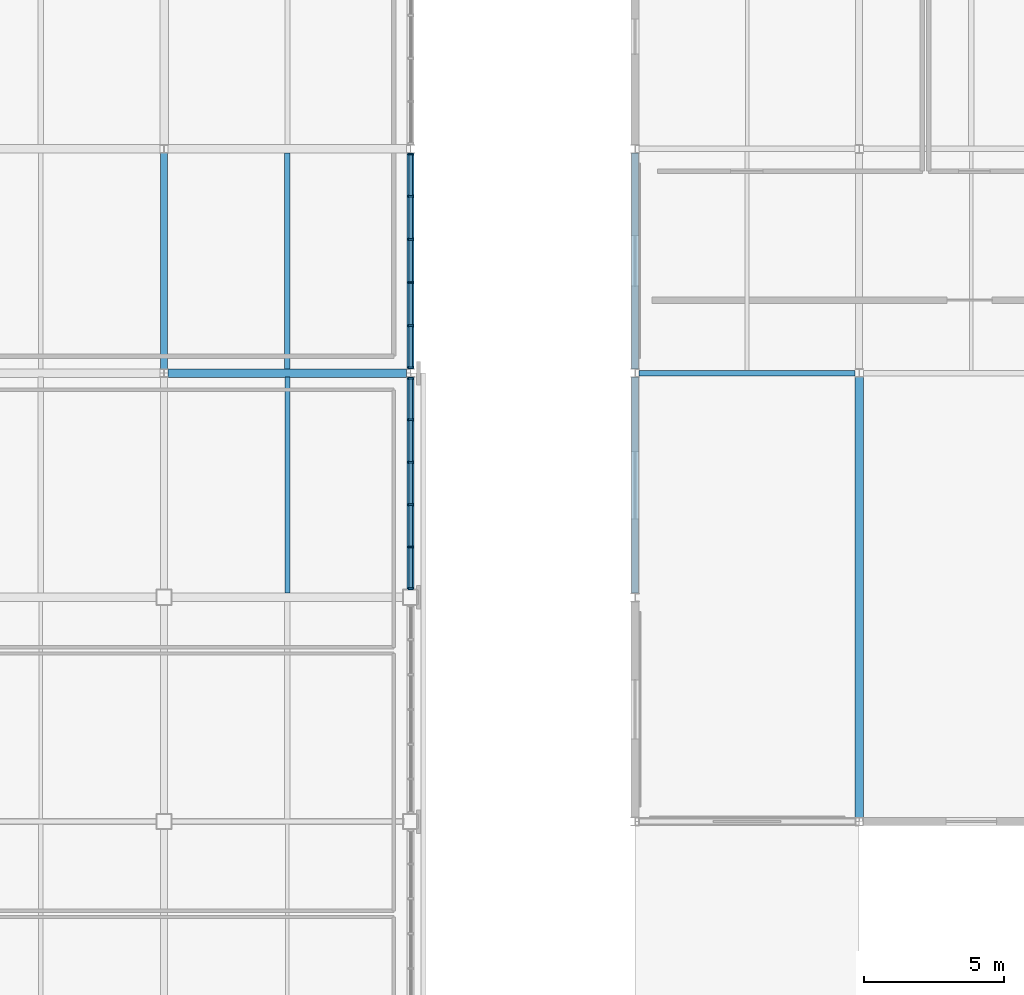
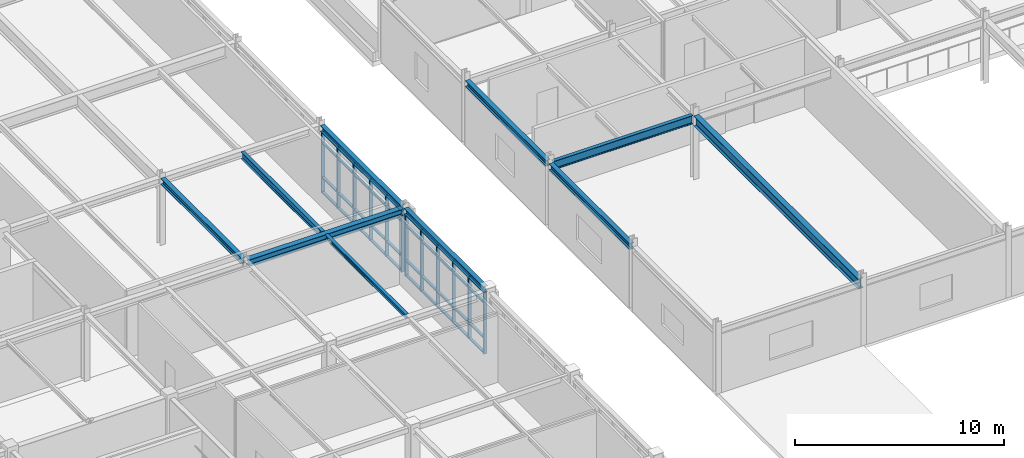
# One storey, part 31 of 88: 52 members, 10 beams, 2 elements without a shape of their own.
"""IFC4 building model written with IfcOpenShell, lengths in metres."""

import ifcopenshell
import ifcopenshell.guid

model = None  # the IFC model being written
_history = None  # IfcOwnerHistory: only IFC2X3 demands one
_inside = {}  # id of a spatial element -> (the spatial element, [elements in it])
_under = {}  # id of a project, library or spatial element -> (it, [spatial elements below it])
_declared = {}  # id of a project -> (the project, [libraries it declares])
_typed = {}  # id of a type object -> (the type object, [elements of that type])
_made_of = {}  # id of a material, layer set ... -> (it, [elements and type objects made of it])


def new_model(schema):
    """Start an empty IFC model of exactly this schema.

    Asked for "IFC4X3", IfcOpenShell would pick the latest addendum, in which some entities
    have other attributes; the version numbers below select the first issue.
    IFC2X3 requires an IfcOwnerHistory on every rooted entity: one is made here for all.
    """
    global model, _history
    if schema == "IFC4X3":
        model = ifcopenshell.file(schema_version=(4, 3, 0, 0))
    else:
        model = ifcopenshell.file(schema=schema)
    _inside.clear()
    _under.clear()
    _declared.clear()
    _typed.clear()
    _made_of.clear()
    _history = None
    if model.schema == "IFC2X3":
        org = make("IfcOrganization", Name="unknown")
        user = make(
            "IfcPersonAndOrganization",
            ThePerson=make("IfcPerson", FamilyName="unknown"),
            TheOrganization=org,
        )
        app = make(
            "IfcApplication",
            ApplicationDeveloper=org,
            Version="unknown",
            ApplicationFullName="unknown",
            ApplicationIdentifier="unknown",
        )
        _history = make(
            "IfcOwnerHistory",
            OwningUser=user,
            OwningApplication=app,
            ChangeAction="ADDED",
            CreationDate=0,
        )
    return model


def make(cls, **values):
    """One entity of the class cls with the attributes given. An attribute that is None is left unset."""
    return model.create_entity(
        cls, **{name: value for name, value in values.items() if value is not None}
    )


def rooted(cls, **values):
    """An entity with a GlobalId (a new one), such as an element, a storey or a relation."""
    return make(cls, GlobalId=ifcopenshell.guid.new(), OwnerHistory=_history, **values)


def si_unit(unit_type, name, prefix=None):
    """IfcSIUnit, for example si_unit("LENGTHUNIT", "METRE", prefix="MILLI")."""
    return make("IfcSIUnit", UnitType=unit_type, Prefix=prefix, Name=name)


def assignment(units):
    """IfcUnitAssignment: the units of a project."""
    return None if units is None else make("IfcUnitAssignment", Units=units)


def point(xyz):
    """IfcCartesianPoint."""
    return None if xyz is None else make("IfcCartesianPoint", Coordinates=xyz)


def direction(xyz):
    """IfcDirection."""
    return None if xyz is None else make("IfcDirection", DirectionRatios=xyz)


def frame(location, z_axis=None, x_axis=None):
    """IfcAxis2Placement3D, a coordinate frame: its origin and axes. An axis left out is left unset."""
    return make(
        "IfcAxis2Placement3D",
        Location=point(location),
        Axis=direction(z_axis),
        RefDirection=direction(x_axis),
    )


def frame_2d(location, x_axis=None):
    """IfcAxis2Placement2D, a coordinate frame in the plane: its origin and x axis."""
    return make(
        "IfcAxis2Placement2D", Location=point(location), RefDirection=direction(x_axis)
    )


def origin():
    """The frame at (0, 0, 0) with its axes left unset."""
    return frame((0.0, 0.0, 0.0))


def origin_2d():
    """The frame at (0, 0) in the plane with its x axis left unset."""
    return frame_2d((0.0, 0.0))


def place(relative_to, where):
    """IfcLocalPlacement: puts the frame where relative to a parent placement (None: the world)."""
    return make(
        "IfcLocalPlacement", PlacementRelTo=relative_to, RelativePlacement=where
    )


def context(
    kind, dimensions, precision=None, world=None, true_north=None, identifier=None
):
    """IfcGeometricRepresentationContext, for example the 3D "Model" context."""
    return make(
        "IfcGeometricRepresentationContext",
        ContextIdentifier=identifier,
        ContextType=kind,
        CoordinateSpaceDimension=dimensions,
        Precision=precision,
        WorldCoordinateSystem=world,
        TrueNorth=true_north,
    )


def subcontext(parent, identifier, kind, view, scale=None):
    """IfcGeometricRepresentationSubContext, for example "Body" below "Model"."""
    return make(
        "IfcGeometricRepresentationSubContext",
        ContextIdentifier=identifier,
        ContextType=kind,
        ParentContext=parent,
        TargetScale=scale,
        TargetView=view,
    )


def project(units=None, contexts=None):
    """IfcProject with its units and contexts."""
    return rooted(
        "IfcProject",
        Name="project",
        RepresentationContexts=contexts,
        UnitsInContext=assignment(units),
    )


def spatial(cls, under=None, at=None, **own):
    """A site, building, storey or space (cls), placed at a placement, below another one or the project."""
    s = rooted(cls, ObjectPlacement=at, **own)
    if under is not None:
        _under.setdefault(under.id(), (under, []))[1].append(s)
    return s


def profile(cls, at=None, kind="AREA", **sizes):
    """A parametric profile (cls). Its sizes go by their IFC names, for example OverallWidth=200.0."""
    return make(cls, ProfileType=kind, Position=at, **sizes)


def rectangle(**sizes):
    """IfcRectangleProfileDef."""
    return profile("IfcRectangleProfileDef", **sizes)


def i_section(**sizes):
    """IfcIShapeProfileDef."""
    return profile("IfcIShapeProfileDef", **sizes)


def extrude(swept, where, along, depth):
    """IfcExtrudedAreaSolid: the profile swept, set in the frame where, extruded along a direction by depth."""
    return make(
        "IfcExtrudedAreaSolid",
        SweptArea=swept,
        Position=where,
        ExtrudedDirection=direction(along),
        Depth=depth,
    )


def shape(context_of_items, identifier, shape_type, items):
    """IfcShapeRepresentation: the items that make up one representation, for example the "Body"."""
    return make(
        "IfcShapeRepresentation",
        ContextOfItems=context_of_items,
        RepresentationIdentifier=identifier,
        RepresentationType=shape_type,
        Items=items,
    )


def material(Name=None, Category=None):
    """IfcMaterial."""
    return make("IfcMaterial", Name=Name, Category=Category)


def material_profile(
    of_material, cross_section, Name=None, Category=None, Priority=None
):
    """IfcMaterialProfile: a cross section and its material."""
    return make(
        "IfcMaterialProfile",
        Name=Name,
        Material=of_material,
        Profile=cross_section,
        Priority=Priority,
        Category=Category,
    )


def profile_set(profiles, Name=None, composite=None):
    """IfcMaterialProfileSet."""
    return make(
        "IfcMaterialProfileSet",
        Name=Name,
        MaterialProfiles=profiles,
        CompositeProfile=composite,
    )


def made_of(thing, what):
    """Note that an element or type object is made of a material, layer set ...; save() writes the relation."""
    if what is not None:
        _made_of.setdefault(what.id(), (what, []))[1].append(thing)
    return thing


def type_object(cls, material=None, **own):
    """A type object (cls), such as IfcWallType, which elements share."""
    return made_of(rooted(cls, **own), material)


def element(
    cls,
    number,
    at=None,
    inside=None,
    cuts=None,
    type_object=None,
    material=None,
    context=None,
    identifier="Body",
    shape_type=None,
    held_by="IfcProductDefinitionShape",
    body=None,
    shapes=None,
    **own,
):
    """One element of the class cls, such as IfcWall. Its Tag is "e" and its number.

    at: its placement. inside: the storey or other place that contains it. cuts: it is an
    opening in that element (IfcRelVoidsElement). A single representation is given by context,
    identifier, shape_type and body (its items); several are given by shapes. held_by: the class
    of the entity that holds the representations. save() writes the other relations.
    """
    e = rooted(cls, Tag="e%d" % number, ObjectPlacement=at, **own)
    if body is not None:
        shapes = [shape(context, identifier, shape_type, body)]
    if shapes is not None:
        e.Representation = make(held_by, Representations=shapes)
    if inside is not None:
        _inside.setdefault(inside.id(), (inside, []))[1].append(e)
    if cuts is not None:
        rooted(
            "IfcRelVoidsElement", RelatingBuildingElement=cuts, RelatedOpeningElement=e
        )
    if type_object is not None:
        _typed.setdefault(type_object.id(), (type_object, []))[1].append(e)
    return made_of(e, material)


def aggregate(whole, parts):
    """IfcRelAggregates: a whole, such as a stair, and the parts it consists of."""
    return rooted("IfcRelAggregates", RelatingObject=whole, RelatedObjects=parts)


def save(model, path):
    """Write the relations noted so far, then the file.

    IfcRelAggregates (storeys below a building ...), IfcRelContainedInSpatialStructure (elements
    in a storey), IfcRelDefinesByType, IfcRelAssociatesMaterial and IfcRelDeclares: one each for
    every whole, place, type object, material and project.
    """
    for whole, parts in _under.values():
        aggregate(whole, parts)
    for where, things in _inside.values():
        rooted(
            "IfcRelContainedInSpatialStructure",
            RelatedElements=things,
            RelatingStructure=where,
        )
    for kind, things in _typed.values():
        rooted("IfcRelDefinesByType", RelatedObjects=things, RelatingType=kind)
    for what, things in _made_of.values():
        rooted("IfcRelAssociatesMaterial", RelatedObjects=things, RelatingMaterial=what)
    for by, libraries in _declared.values():
        rooted("IfcRelDeclares", RelatingContext=by, RelatedDefinitions=libraries)
    model.write(path)


model = new_model("IFC4")

# Units and contexts
model_context = context("Model", 3, precision=1e-05, world=origin(), true_north=direction((0.0, 1.0)))
body_context = subcontext(model_context, "Body", "Model", "MODEL_VIEW")
ifc_project = project(units=[si_unit("LENGTHUNIT", "METRE"), si_unit("AREAUNIT", "SQUARE_METRE"), si_unit("VOLUMEUNIT", "CUBIC_METRE"), si_unit("PLANEANGLEUNIT", "RADIAN"), si_unit("MASSUNIT", "GRAM", prefix="KILO")], contexts=[model_context])

# Site, building, storey
site_placement = place(None, origin())
site = spatial("IfcSite", under=ifc_project, at=site_placement, CompositionType="ELEMENT")
building_placement = place(site_placement, origin())
building = spatial("IfcBuilding", under=site, at=building_placement, Name="Zhaolan Boulevard Law Courts", CompositionType="ELEMENT")
storey_placement = place(building_placement, frame((0.0, 0.0, 16.199951171875)))
storey = spatial("IfcBuildingStorey", under=building, at=storey_placement, Name="L03", CompositionType="ELEMENT", Elevation=16.199951171875)

# Curtain wall, members
ifc_material_1 = material(Name="Thermally broken aluminium and low-E glazing", Category="aluminium")
curtain_wall_type_1 = type_object("IfcCurtainWallType", Name="CURTAIN WALL M7", PredefinedType="USERDEFINED", material=ifc_material_1)
curtain_wall_1_placement = place(storey_placement, origin())
curtain_wall_1 = element("IfcCurtainWall", 1, at=curtain_wall_1_placement, inside=storey, type_object=curtain_wall_type_1, Name="Curtain Wall CW-L03-127", ObjectType="CURTAIN WALL", PredefinedType="USERDEFINED")
ifc_material_2 = material(Name="Fluorocarbon-coated aluminium 6063-T6", Category="aluminium")
ifc_material_profile_1 = material_profile(ifc_material_2, rectangle(XDim=0.179931640625, YDim=0.06494140625, at=origin_2d()), Name="AL65x180")
ifc_profile_set_1 = profile_set([ifc_material_profile_1], Name="Fluorocarbon-coated aluminium 6063-T6")
member_type_1 = type_object("IfcMemberType", Name="CWMULLION 65X180", PredefinedType="MULLION", material=ifc_profile_set_1)
member_1_placement = place(storey_placement, frame((44.0, 78.1845703125, 0.0), z_axis=(0.0, 0.0, 1.0), x_axis=(-1.0, 0.0, 0.0)))
member_1 = element("IfcMember", 2, at=member_1_placement, type_object=member_type_1, Name="CW-L03-127 mullion 1", PredefinedType="MULLION", context=body_context, shape_type="SweptSolid", body=[
    extrude(rectangle(XDim=0.179931640625, YDim=0.06494140625, at=origin_2d()), origin(), (0.0, 0.0, 1.0), 3.56298828125),
])
member_2_placement = place(storey_placement, frame((44.0, 79.691162109375, 0.0), z_axis=(0.0, 0.0, 1.0), x_axis=(-1.0, 0.0, 0.0)))
member_2 = element("IfcMember", 3, at=member_2_placement, type_object=member_type_1, Name="CW-L03-127 mullion 2", PredefinedType="MULLION", context=body_context, shape_type="SweptSolid", body=[
    extrude(rectangle(XDim=0.179931640625, YDim=0.06494140625, at=origin_2d()), origin(), (0.0, 0.0, 1.0), 3.56298828125),
])
member_3_placement = place(storey_placement, frame((44.0, 81.23046875, 0.0), z_axis=(0.0, 0.0, 1.0), x_axis=(-1.0, 0.0, 0.0)))
member_3 = element("IfcMember", 4, at=member_3_placement, type_object=member_type_1, Name="CW-L03-127 mullion 3", PredefinedType="MULLION", context=body_context, shape_type="SweptSolid", body=[
    extrude(rectangle(XDim=0.179931640625, YDim=0.06494140625, at=origin_2d()), origin(), (0.0, 0.0, 1.0), 3.56298828125),
])
member_4_placement = place(storey_placement, frame((44.0, 82.76953125, 0.0), z_axis=(0.0, 0.0, 1.0), x_axis=(-1.0, 0.0, 0.0)))
member_4 = element("IfcMember", 5, at=member_4_placement, type_object=member_type_1, Name="CW-L03-127 mullion 4", PredefinedType="MULLION", context=body_context, shape_type="SweptSolid", body=[
    extrude(rectangle(XDim=0.179931640625, YDim=0.06494140625, at=origin_2d()), origin(), (0.0, 0.0, 1.0), 3.56298828125),
])
member_5_placement = place(storey_placement, frame((44.0, 84.308837890625, 0.0), z_axis=(0.0, 0.0, 1.0), x_axis=(-1.0, 0.0, 0.0)))
member_5 = element("IfcMember", 6, at=member_5_placement, type_object=member_type_1, Name="CW-L03-127 mullion 5", PredefinedType="MULLION", context=body_context, shape_type="SweptSolid", body=[
    extrude(rectangle(XDim=0.179931640625, YDim=0.06494140625, at=origin_2d()), origin(), (0.0, 0.0, 1.0), 3.56298828125),
])
member_6_placement = place(storey_placement, frame((44.0, 85.8154296875, 0.0), z_axis=(0.0, 0.0, 1.0), x_axis=(-1.0, 0.0, 0.0)))
member_6 = element("IfcMember", 7, at=member_6_placement, type_object=member_type_1, Name="CW-L03-127 mullion 6", PredefinedType="MULLION", context=body_context, shape_type="SweptSolid", body=[
    extrude(rectangle(XDim=0.179931640625, YDim=0.06494140625, at=origin_2d()), origin(), (0.0, 0.0, 1.0), 3.56298828125),
])

ifc_material_3 = material(Name="Thermally broken aluminium and low-E glazing", Category="aluminium")
curtain_wall_type_2 = type_object("IfcCurtainWallType", Name="CURTAIN WALL M16", PredefinedType="USERDEFINED", material=ifc_material_3)
curtain_wall_2_placement = place(storey_placement, origin())
curtain_wall_2 = element("IfcCurtainWall", 8, at=curtain_wall_2_placement, inside=storey, type_object=curtain_wall_type_2, Name="Curtain Wall CW-L03-184", ObjectType="CURTAIN WALL", PredefinedType="USERDEFINED")
member_7_placement = place(storey_placement, frame((44.0, 70.3095703125, 0.0), z_axis=(0.0, 0.0, 1.0), x_axis=(-1.0, 0.0, 0.0)))
member_7 = element("IfcMember", 9, at=member_7_placement, type_object=member_type_1, Name="CW-L03-184 mullion 1", PredefinedType="MULLION", context=body_context, shape_type="SweptSolid", body=[
    extrude(rectangle(XDim=0.179931640625, YDim=0.06494140625, at=origin_2d()), origin(), (0.0, 0.0, 1.0), 3.593017578125),
])
member_8_placement = place(storey_placement, frame((44.0, 71.791259765625, 0.0), z_axis=(0.0, 0.0, 1.0), x_axis=(-1.0, 0.0, 0.0)))
member_8 = element("IfcMember", 10, at=member_8_placement, type_object=member_type_1, Name="CW-L03-184 mullion 2", PredefinedType="MULLION", context=body_context, shape_type="SweptSolid", body=[
    extrude(rectangle(XDim=0.179931640625, YDim=0.06494140625, at=origin_2d()), origin(), (0.0, 0.0, 1.0), 3.593017578125),
])
member_9_placement = place(storey_placement, frame((44.0, 73.305419921875, 0.0), z_axis=(0.0, 0.0, 1.0), x_axis=(-1.0, 0.0, 0.0)))
member_9 = element("IfcMember", 11, at=member_9_placement, type_object=member_type_1, Name="CW-L03-184 mullion 3", PredefinedType="MULLION", context=body_context, shape_type="SweptSolid", body=[
    extrude(rectangle(XDim=0.179931640625, YDim=0.06494140625, at=origin_2d()), origin(), (0.0, 0.0, 1.0), 3.593017578125),
])
member_10_placement = place(storey_placement, frame((44.0, 74.819580078125, 0.0), z_axis=(0.0, 0.0, 1.0), x_axis=(-1.0, 0.0, 0.0)))
member_10 = element("IfcMember", 12, at=member_10_placement, type_object=member_type_1, Name="CW-L03-184 mullion 4", PredefinedType="MULLION", context=body_context, shape_type="SweptSolid", body=[
    extrude(rectangle(XDim=0.179931640625, YDim=0.06494140625, at=origin_2d()), origin(), (0.0, 0.0, 1.0), 3.593017578125),
])
member_11_placement = place(storey_placement, frame((44.0, 76.333740234375, 0.0), z_axis=(0.0, 0.0, 1.0), x_axis=(-1.0, 0.0, 0.0)))
member_11 = element("IfcMember", 13, at=member_11_placement, type_object=member_type_1, Name="CW-L03-184 mullion 5", PredefinedType="MULLION", context=body_context, shape_type="SweptSolid", body=[
    extrude(rectangle(XDim=0.179931640625, YDim=0.06494140625, at=origin_2d()), origin(), (0.0, 0.0, 1.0), 3.593017578125),
])
member_12_placement = place(storey_placement, frame((44.0, 77.8154296875, 0.0), z_axis=(0.0, 0.0, 1.0), x_axis=(-1.0, 0.0, 0.0)))
member_12 = element("IfcMember", 14, at=member_12_placement, type_object=member_type_1, Name="CW-L03-184 mullion 6", PredefinedType="MULLION", context=body_context, shape_type="SweptSolid", body=[
    extrude(rectangle(XDim=0.179931640625, YDim=0.06494140625, at=origin_2d()), origin(), (0.0, 0.0, 1.0), 3.593017578125),
])

# Member
ifc_material_4 = material(Name="Fluorocarbon-coated aluminium 6063-T6", Category="aluminium")
ifc_material_profile_2 = material_profile(ifc_material_4, rectangle(XDim=0.139892578125, YDim=0.06494140625, at=origin_2d()), Name="AL65x140")
ifc_profile_set_2 = profile_set([ifc_material_profile_2], Name="Fluorocarbon-coated aluminium 6063-T6")
member_type_2 = type_object("IfcMemberType", Name="CWTRANSOM 65X140", PredefinedType="USERDEFINED", material=ifc_profile_set_2)
member_13_placement = place(storey_placement, frame((44.0, 78.217041015625, 0.032470703125), z_axis=(0.0, 1.0, 0.0), x_axis=(-1.0, 0.0, 0.0)))
member_13 = element("IfcMember", 15, at=member_13_placement, type_object=member_type_2, Name="CW-L03-127 transom 1.1", ObjectType="TRANSOM", PredefinedType="USERDEFINED", context=body_context, shape_type="SweptSolid", body=[
    extrude(rectangle(XDim=0.139892578125, YDim=0.06494140625, at=origin_2d()), origin(), (0.0, 0.0, 1.0), 1.441650390625),
])

member_14_placement = place(storey_placement, frame((44.0, 78.217041015625, 0.900146484375), z_axis=(0.0, 1.0, 0.0), x_axis=(-1.0, 0.0, 0.0)))
member_14 = element("IfcMember", 16, at=member_14_placement, type_object=member_type_2, Name="CW-L03-127 transom 1.2", ObjectType="TRANSOM", PredefinedType="USERDEFINED", context=body_context, shape_type="SweptSolid", body=[
    extrude(rectangle(XDim=0.139892578125, YDim=0.06494140625, at=origin_2d()), origin(), (0.0, 0.0, 1.0), 1.441650390625),
])

member_15_placement = place(storey_placement, frame((44.0, 78.217041015625, 2.9130859375), z_axis=(0.0, 1.0, 0.0), x_axis=(-1.0, 0.0, 0.0)))
member_15 = element("IfcMember", 17, at=member_15_placement, type_object=member_type_2, Name="CW-L03-127 transom 1.3", ObjectType="TRANSOM", PredefinedType="USERDEFINED", context=body_context, shape_type="SweptSolid", body=[
    extrude(rectangle(XDim=0.139892578125, YDim=0.06494140625, at=origin_2d()), origin(), (0.0, 0.0, 1.0), 1.441650390625),
])

member_16_placement = place(storey_placement, frame((44.0, 78.217041015625, 3.530517578125), z_axis=(0.0, 1.0, 0.0), x_axis=(-1.0, 0.0, 0.0)))
member_16 = element("IfcMember", 18, at=member_16_placement, type_object=member_type_2, Name="CW-L03-127 transom 1.4", ObjectType="TRANSOM", PredefinedType="USERDEFINED", context=body_context, shape_type="SweptSolid", body=[
    extrude(rectangle(XDim=0.139892578125, YDim=0.06494140625, at=origin_2d()), origin(), (0.0, 0.0, 1.0), 1.441650390625),
])

member_17_placement = place(storey_placement, frame((44.0, 79.7236328125, 0.032470703125), z_axis=(0.0, 1.0, 0.0), x_axis=(-1.0, 0.0, 0.0)))
member_17 = element("IfcMember", 19, at=member_17_placement, type_object=member_type_2, Name="CW-L03-127 transom 2.1", ObjectType="TRANSOM", PredefinedType="USERDEFINED", context=body_context, shape_type="SweptSolid", body=[
    extrude(rectangle(XDim=0.139892578125, YDim=0.06494140625, at=origin_2d()), origin(), (0.0, 0.0, 1.0), 1.474365234375),
])

member_18_placement = place(storey_placement, frame((44.0, 79.7236328125, 0.900146484375), z_axis=(0.0, 1.0, 0.0), x_axis=(-1.0, 0.0, 0.0)))
member_18 = element("IfcMember", 20, at=member_18_placement, type_object=member_type_2, Name="CW-L03-127 transom 2.2", ObjectType="TRANSOM", PredefinedType="USERDEFINED", context=body_context, shape_type="SweptSolid", body=[
    extrude(rectangle(XDim=0.139892578125, YDim=0.06494140625, at=origin_2d()), origin(), (0.0, 0.0, 1.0), 1.474365234375),
])

member_19_placement = place(storey_placement, frame((44.0, 79.7236328125, 2.9130859375), z_axis=(0.0, 1.0, 0.0), x_axis=(-1.0, 0.0, 0.0)))
member_19 = element("IfcMember", 21, at=member_19_placement, type_object=member_type_2, Name="CW-L03-127 transom 2.3", ObjectType="TRANSOM", PredefinedType="USERDEFINED", context=body_context, shape_type="SweptSolid", body=[
    extrude(rectangle(XDim=0.139892578125, YDim=0.06494140625, at=origin_2d()), origin(), (0.0, 0.0, 1.0), 1.474365234375),
])

member_20_placement = place(storey_placement, frame((44.0, 79.7236328125, 3.530517578125), z_axis=(0.0, 1.0, 0.0), x_axis=(-1.0, 0.0, 0.0)))
member_20 = element("IfcMember", 22, at=member_20_placement, type_object=member_type_2, Name="CW-L03-127 transom 2.4", ObjectType="TRANSOM", PredefinedType="USERDEFINED", context=body_context, shape_type="SweptSolid", body=[
    extrude(rectangle(XDim=0.139892578125, YDim=0.06494140625, at=origin_2d()), origin(), (0.0, 0.0, 1.0), 1.474365234375),
])

member_21_placement = place(storey_placement, frame((44.0, 81.262939453125, 0.032470703125), z_axis=(0.0, 1.0, 0.0), x_axis=(-1.0, 0.0, 0.0)))
member_21 = element("IfcMember", 23, at=member_21_placement, type_object=member_type_2, Name="CW-L03-127 transom 3.1", ObjectType="TRANSOM", PredefinedType="USERDEFINED", context=body_context, shape_type="SweptSolid", body=[
    extrude(rectangle(XDim=0.139892578125, YDim=0.06494140625, at=origin_2d()), origin(), (0.0, 0.0, 1.0), 1.47412109375),
])

member_22_placement = place(storey_placement, frame((44.0, 81.262939453125, 0.900146484375), z_axis=(0.0, 1.0, 0.0), x_axis=(-1.0, 0.0, 0.0)))
member_22 = element("IfcMember", 24, at=member_22_placement, type_object=member_type_2, Name="CW-L03-127 transom 3.2", ObjectType="TRANSOM", PredefinedType="USERDEFINED", context=body_context, shape_type="SweptSolid", body=[
    extrude(rectangle(XDim=0.139892578125, YDim=0.06494140625, at=origin_2d()), origin(), (0.0, 0.0, 1.0), 1.47412109375),
])

member_23_placement = place(storey_placement, frame((44.0, 81.262939453125, 2.9130859375), z_axis=(0.0, 1.0, 0.0), x_axis=(-1.0, 0.0, 0.0)))
member_23 = element("IfcMember", 25, at=member_23_placement, type_object=member_type_2, Name="CW-L03-127 transom 3.3", ObjectType="TRANSOM", PredefinedType="USERDEFINED", context=body_context, shape_type="SweptSolid", body=[
    extrude(rectangle(XDim=0.139892578125, YDim=0.06494140625, at=origin_2d()), origin(), (0.0, 0.0, 1.0), 1.47412109375),
])

member_24_placement = place(storey_placement, frame((44.0, 81.262939453125, 3.530517578125), z_axis=(0.0, 1.0, 0.0), x_axis=(-1.0, 0.0, 0.0)))
member_24 = element("IfcMember", 26, at=member_24_placement, type_object=member_type_2, Name="CW-L03-127 transom 3.4", ObjectType="TRANSOM", PredefinedType="USERDEFINED", context=body_context, shape_type="SweptSolid", body=[
    extrude(rectangle(XDim=0.139892578125, YDim=0.06494140625, at=origin_2d()), origin(), (0.0, 0.0, 1.0), 1.47412109375),
])

member_25_placement = place(storey_placement, frame((44.0, 82.802001953125, 0.032470703125), z_axis=(0.0, 1.0, 0.0), x_axis=(-1.0, 0.0, 0.0)))
member_25 = element("IfcMember", 27, at=member_25_placement, type_object=member_type_2, Name="CW-L03-127 transom 4.1", ObjectType="TRANSOM", PredefinedType="USERDEFINED", context=body_context, shape_type="SweptSolid", body=[
    extrude(rectangle(XDim=0.139892578125, YDim=0.06494140625, at=origin_2d()), origin(), (0.0, 0.0, 1.0), 1.474365234375),
])

member_26_placement = place(storey_placement, frame((44.0, 82.802001953125, 0.900146484375), z_axis=(0.0, 1.0, 0.0), x_axis=(-1.0, 0.0, 0.0)))
member_26 = element("IfcMember", 28, at=member_26_placement, type_object=member_type_2, Name="CW-L03-127 transom 4.2", ObjectType="TRANSOM", PredefinedType="USERDEFINED", context=body_context, shape_type="SweptSolid", body=[
    extrude(rectangle(XDim=0.139892578125, YDim=0.06494140625, at=origin_2d()), origin(), (0.0, 0.0, 1.0), 1.474365234375),
])

member_27_placement = place(storey_placement, frame((44.0, 82.802001953125, 2.9130859375), z_axis=(0.0, 1.0, 0.0), x_axis=(-1.0, 0.0, 0.0)))
member_27 = element("IfcMember", 29, at=member_27_placement, type_object=member_type_2, Name="CW-L03-127 transom 4.3", ObjectType="TRANSOM", PredefinedType="USERDEFINED", context=body_context, shape_type="SweptSolid", body=[
    extrude(rectangle(XDim=0.139892578125, YDim=0.06494140625, at=origin_2d()), origin(), (0.0, 0.0, 1.0), 1.474365234375),
])

member_28_placement = place(storey_placement, frame((44.0, 82.802001953125, 3.530517578125), z_axis=(0.0, 1.0, 0.0), x_axis=(-1.0, 0.0, 0.0)))
member_28 = element("IfcMember", 30, at=member_28_placement, type_object=member_type_2, Name="CW-L03-127 transom 4.4", ObjectType="TRANSOM", PredefinedType="USERDEFINED", context=body_context, shape_type="SweptSolid", body=[
    extrude(rectangle(XDim=0.139892578125, YDim=0.06494140625, at=origin_2d()), origin(), (0.0, 0.0, 1.0), 1.474365234375),
])

member_29_placement = place(storey_placement, frame((44.0, 84.34130859375, 0.032470703125), z_axis=(0.0, 1.0, 0.0), x_axis=(-1.0, 0.0, 0.0)))
member_29 = element("IfcMember", 31, at=member_29_placement, type_object=member_type_2, Name="CW-L03-127 transom 5.1", ObjectType="TRANSOM", PredefinedType="USERDEFINED", context=body_context, shape_type="SweptSolid", body=[
    extrude(rectangle(XDim=0.139892578125, YDim=0.06494140625, at=origin_2d()), origin(), (0.0, 0.0, 1.0), 1.441650390625),
])

member_30_placement = place(storey_placement, frame((44.0, 84.34130859375, 0.900146484375), z_axis=(0.0, 1.0, 0.0), x_axis=(-1.0, 0.0, 0.0)))
member_30 = element("IfcMember", 32, at=member_30_placement, type_object=member_type_2, Name="CW-L03-127 transom 5.2", ObjectType="TRANSOM", PredefinedType="USERDEFINED", context=body_context, shape_type="SweptSolid", body=[
    extrude(rectangle(XDim=0.139892578125, YDim=0.06494140625, at=origin_2d()), origin(), (0.0, 0.0, 1.0), 1.441650390625),
])

member_31_placement = place(storey_placement, frame((44.0, 84.34130859375, 2.9130859375), z_axis=(0.0, 1.0, 0.0), x_axis=(-1.0, 0.0, 0.0)))
member_31 = element("IfcMember", 33, at=member_31_placement, type_object=member_type_2, Name="CW-L03-127 transom 5.3", ObjectType="TRANSOM", PredefinedType="USERDEFINED", context=body_context, shape_type="SweptSolid", body=[
    extrude(rectangle(XDim=0.139892578125, YDim=0.06494140625, at=origin_2d()), origin(), (0.0, 0.0, 1.0), 1.441650390625),
])

member_32_placement = place(storey_placement, frame((44.0, 84.34130859375, 3.530517578125), z_axis=(0.0, 1.0, 0.0), x_axis=(-1.0, 0.0, 0.0)))
member_32 = element("IfcMember", 34, at=member_32_placement, type_object=member_type_2, Name="CW-L03-127 transom 5.4", ObjectType="TRANSOM", PredefinedType="USERDEFINED", context=body_context, shape_type="SweptSolid", body=[
    extrude(rectangle(XDim=0.139892578125, YDim=0.06494140625, at=origin_2d()), origin(), (0.0, 0.0, 1.0), 1.441650390625),
])

aggregate(curtain_wall_1, [member_1, member_2, member_3, member_4, member_5, member_6, member_13, member_14, member_15, member_16, member_17, member_18, member_19, member_20, member_21, member_22, member_23, member_24, member_25, member_26, member_27, member_28, member_29, member_30, member_31, member_32])

member_33_placement = place(storey_placement, frame((44.0, 70.342041015625, 0.032470703125), z_axis=(0.0, 1.0, 0.0), x_axis=(-1.0, 0.0, 0.0)))
member_33 = element("IfcMember", 35, at=member_33_placement, type_object=member_type_2, Name="CW-L03-184 transom 1.1", ObjectType="TRANSOM", PredefinedType="USERDEFINED", context=body_context, shape_type="SweptSolid", body=[
    extrude(rectangle(XDim=0.139892578125, YDim=0.06494140625, at=origin_2d()), origin(), (0.0, 0.0, 1.0), 1.416748046875),
])

member_34_placement = place(storey_placement, frame((44.0, 70.342041015625, 0.900146484375), z_axis=(0.0, 1.0, 0.0), x_axis=(-1.0, 0.0, 0.0)))
member_34 = element("IfcMember", 36, at=member_34_placement, type_object=member_type_2, Name="CW-L03-184 transom 1.2", ObjectType="TRANSOM", PredefinedType="USERDEFINED", context=body_context, shape_type="SweptSolid", body=[
    extrude(rectangle(XDim=0.139892578125, YDim=0.06494140625, at=origin_2d()), origin(), (0.0, 0.0, 1.0), 1.416748046875),
])

member_35_placement = place(storey_placement, frame((44.0, 70.342041015625, 2.943115234375), z_axis=(0.0, 1.0, 0.0), x_axis=(-1.0, 0.0, 0.0)))
member_35 = element("IfcMember", 37, at=member_35_placement, type_object=member_type_2, Name="CW-L03-184 transom 1.3", ObjectType="TRANSOM", PredefinedType="USERDEFINED", context=body_context, shape_type="SweptSolid", body=[
    extrude(rectangle(XDim=0.139892578125, YDim=0.06494140625, at=origin_2d()), origin(), (0.0, 0.0, 1.0), 1.416748046875),
])

member_36_placement = place(storey_placement, frame((44.0, 70.342041015625, 3.560546875), z_axis=(0.0, 1.0, 0.0), x_axis=(-1.0, 0.0, 0.0)))
member_36 = element("IfcMember", 38, at=member_36_placement, type_object=member_type_2, Name="CW-L03-184 transom 1.4", ObjectType="TRANSOM", PredefinedType="USERDEFINED", context=body_context, shape_type="SweptSolid", body=[
    extrude(rectangle(XDim=0.139892578125, YDim=0.06494140625, at=origin_2d()), origin(), (0.0, 0.0, 1.0), 1.416748046875),
])

member_37_placement = place(storey_placement, frame((44.0, 71.82373046875, 0.032470703125), z_axis=(0.0, 1.0, 0.0), x_axis=(-1.0, 0.0, 0.0)))
member_37 = element("IfcMember", 39, at=member_37_placement, type_object=member_type_2, Name="CW-L03-184 transom 2.1", ObjectType="TRANSOM", PredefinedType="USERDEFINED", context=body_context, shape_type="SweptSolid", body=[
    extrude(rectangle(XDim=0.139892578125, YDim=0.06494140625, at=origin_2d()), origin(), (0.0, 0.0, 1.0), 1.44921875),
])

member_38_placement = place(storey_placement, frame((44.0, 71.82373046875, 0.900146484375), z_axis=(0.0, 1.0, 0.0), x_axis=(-1.0, 0.0, 0.0)))
member_38 = element("IfcMember", 40, at=member_38_placement, type_object=member_type_2, Name="CW-L03-184 transom 2.2", ObjectType="TRANSOM", PredefinedType="USERDEFINED", context=body_context, shape_type="SweptSolid", body=[
    extrude(rectangle(XDim=0.139892578125, YDim=0.06494140625, at=origin_2d()), origin(), (0.0, 0.0, 1.0), 1.44921875),
])

member_39_placement = place(storey_placement, frame((44.0, 71.82373046875, 2.943115234375), z_axis=(0.0, 1.0, 0.0), x_axis=(-1.0, 0.0, 0.0)))
member_39 = element("IfcMember", 41, at=member_39_placement, type_object=member_type_2, Name="CW-L03-184 transom 2.3", ObjectType="TRANSOM", PredefinedType="USERDEFINED", context=body_context, shape_type="SweptSolid", body=[
    extrude(rectangle(XDim=0.139892578125, YDim=0.06494140625, at=origin_2d()), origin(), (0.0, 0.0, 1.0), 1.44921875),
])

member_40_placement = place(storey_placement, frame((44.0, 71.82373046875, 3.560546875), z_axis=(0.0, 1.0, 0.0), x_axis=(-1.0, 0.0, 0.0)))
member_40 = element("IfcMember", 42, at=member_40_placement, type_object=member_type_2, Name="CW-L03-184 transom 2.4", ObjectType="TRANSOM", PredefinedType="USERDEFINED", context=body_context, shape_type="SweptSolid", body=[
    extrude(rectangle(XDim=0.139892578125, YDim=0.06494140625, at=origin_2d()), origin(), (0.0, 0.0, 1.0), 1.44921875),
])

member_41_placement = place(storey_placement, frame((44.0, 73.337890625, 0.032470703125), z_axis=(0.0, 1.0, 0.0), x_axis=(-1.0, 0.0, 0.0)))
member_41 = element("IfcMember", 43, at=member_41_placement, type_object=member_type_2, Name="CW-L03-184 transom 3.1", ObjectType="TRANSOM", PredefinedType="USERDEFINED", context=body_context, shape_type="SweptSolid", body=[
    extrude(rectangle(XDim=0.139892578125, YDim=0.06494140625, at=origin_2d()), origin(), (0.0, 0.0, 1.0), 1.44921875),
])

member_42_placement = place(storey_placement, frame((44.0, 73.337890625, 0.900146484375), z_axis=(0.0, 1.0, 0.0), x_axis=(-1.0, 0.0, 0.0)))
member_42 = element("IfcMember", 44, at=member_42_placement, type_object=member_type_2, Name="CW-L03-184 transom 3.2", ObjectType="TRANSOM", PredefinedType="USERDEFINED", context=body_context, shape_type="SweptSolid", body=[
    extrude(rectangle(XDim=0.139892578125, YDim=0.06494140625, at=origin_2d()), origin(), (0.0, 0.0, 1.0), 1.44921875),
])

member_43_placement = place(storey_placement, frame((44.0, 73.337890625, 2.943115234375), z_axis=(0.0, 1.0, 0.0), x_axis=(-1.0, 0.0, 0.0)))
member_43 = element("IfcMember", 45, at=member_43_placement, type_object=member_type_2, Name="CW-L03-184 transom 3.3", ObjectType="TRANSOM", PredefinedType="USERDEFINED", context=body_context, shape_type="SweptSolid", body=[
    extrude(rectangle(XDim=0.139892578125, YDim=0.06494140625, at=origin_2d()), origin(), (0.0, 0.0, 1.0), 1.44921875),
])

member_44_placement = place(storey_placement, frame((44.0, 73.337890625, 3.560546875), z_axis=(0.0, 1.0, 0.0), x_axis=(-1.0, 0.0, 0.0)))
member_44 = element("IfcMember", 46, at=member_44_placement, type_object=member_type_2, Name="CW-L03-184 transom 3.4", ObjectType="TRANSOM", PredefinedType="USERDEFINED", context=body_context, shape_type="SweptSolid", body=[
    extrude(rectangle(XDim=0.139892578125, YDim=0.06494140625, at=origin_2d()), origin(), (0.0, 0.0, 1.0), 1.44921875),
])

member_45_placement = place(storey_placement, frame((44.0, 74.85205078125, 0.032470703125), z_axis=(0.0, 1.0, 0.0), x_axis=(-1.0, 0.0, 0.0)))
member_45 = element("IfcMember", 47, at=member_45_placement, type_object=member_type_2, Name="CW-L03-184 transom 4.1", ObjectType="TRANSOM", PredefinedType="USERDEFINED", context=body_context, shape_type="SweptSolid", body=[
    extrude(rectangle(XDim=0.139892578125, YDim=0.06494140625, at=origin_2d()), origin(), (0.0, 0.0, 1.0), 1.44921875),
])

member_46_placement = place(storey_placement, frame((44.0, 74.85205078125, 0.900146484375), z_axis=(0.0, 1.0, 0.0), x_axis=(-1.0, 0.0, 0.0)))
member_46 = element("IfcMember", 48, at=member_46_placement, type_object=member_type_2, Name="CW-L03-184 transom 4.2", ObjectType="TRANSOM", PredefinedType="USERDEFINED", context=body_context, shape_type="SweptSolid", body=[
    extrude(rectangle(XDim=0.139892578125, YDim=0.06494140625, at=origin_2d()), origin(), (0.0, 0.0, 1.0), 1.44921875),
])

member_47_placement = place(storey_placement, frame((44.0, 74.85205078125, 2.943115234375), z_axis=(0.0, 1.0, 0.0), x_axis=(-1.0, 0.0, 0.0)))
member_47 = element("IfcMember", 49, at=member_47_placement, type_object=member_type_2, Name="CW-L03-184 transom 4.3", ObjectType="TRANSOM", PredefinedType="USERDEFINED", context=body_context, shape_type="SweptSolid", body=[
    extrude(rectangle(XDim=0.139892578125, YDim=0.06494140625, at=origin_2d()), origin(), (0.0, 0.0, 1.0), 1.44921875),
])

member_48_placement = place(storey_placement, frame((44.0, 74.85205078125, 3.560546875), z_axis=(0.0, 1.0, 0.0), x_axis=(-1.0, 0.0, 0.0)))
member_48 = element("IfcMember", 50, at=member_48_placement, type_object=member_type_2, Name="CW-L03-184 transom 4.4", ObjectType="TRANSOM", PredefinedType="USERDEFINED", context=body_context, shape_type="SweptSolid", body=[
    extrude(rectangle(XDim=0.139892578125, YDim=0.06494140625, at=origin_2d()), origin(), (0.0, 0.0, 1.0), 1.44921875),
])

member_49_placement = place(storey_placement, frame((44.0, 76.3662109375, 0.032470703125), z_axis=(0.0, 1.0, 0.0), x_axis=(-1.0, 0.0, 0.0)))
member_49 = element("IfcMember", 51, at=member_49_placement, type_object=member_type_2, Name="CW-L03-184 transom 5.1", ObjectType="TRANSOM", PredefinedType="USERDEFINED", context=body_context, shape_type="SweptSolid", body=[
    extrude(rectangle(XDim=0.139892578125, YDim=0.06494140625, at=origin_2d()), origin(), (0.0, 0.0, 1.0), 1.416748046875),
])

member_50_placement = place(storey_placement, frame((44.0, 76.3662109375, 0.900146484375), z_axis=(0.0, 1.0, 0.0), x_axis=(-1.0, 0.0, 0.0)))
member_50 = element("IfcMember", 52, at=member_50_placement, type_object=member_type_2, Name="CW-L03-184 transom 5.2", ObjectType="TRANSOM", PredefinedType="USERDEFINED", context=body_context, shape_type="SweptSolid", body=[
    extrude(rectangle(XDim=0.139892578125, YDim=0.06494140625, at=origin_2d()), origin(), (0.0, 0.0, 1.0), 1.416748046875),
])

member_51_placement = place(storey_placement, frame((44.0, 76.3662109375, 2.943115234375), z_axis=(0.0, 1.0, 0.0), x_axis=(-1.0, 0.0, 0.0)))
member_51 = element("IfcMember", 53, at=member_51_placement, type_object=member_type_2, Name="CW-L03-184 transom 5.3", ObjectType="TRANSOM", PredefinedType="USERDEFINED", context=body_context, shape_type="SweptSolid", body=[
    extrude(rectangle(XDim=0.139892578125, YDim=0.06494140625, at=origin_2d()), origin(), (0.0, 0.0, 1.0), 1.416748046875),
])

member_52_placement = place(storey_placement, frame((44.0, 76.3662109375, 3.560546875), z_axis=(0.0, 1.0, 0.0), x_axis=(-1.0, 0.0, 0.0)))
member_52 = element("IfcMember", 54, at=member_52_placement, type_object=member_type_2, Name="CW-L03-184 transom 5.4", ObjectType="TRANSOM", PredefinedType="USERDEFINED", context=body_context, shape_type="SweptSolid", body=[
    extrude(rectangle(XDim=0.139892578125, YDim=0.06494140625, at=origin_2d()), origin(), (0.0, 0.0, 1.0), 1.416748046875),
])

aggregate(curtain_wall_2, [member_7, member_8, member_9, member_10, member_11, member_12, member_33, member_34, member_35, member_36, member_37, member_38, member_39, member_40, member_41, member_42, member_43, member_44, member_45, member_46, member_47, member_48, member_49, member_50, member_51, member_52])

# Beams
ifc_material_5 = material(Name="Structural steel Q355B", Category="steel")
ifc_material_profile_3 = material_profile(ifc_material_5, i_section(OverallWidth=0.25, OverallDepth=0.340087890625, WebThickness=0.009033203125, FlangeThickness=0.013916015625, FilletRadius=0.01611328125, at=origin_2d()), Name="HM340x250")
ifc_profile_set_3 = profile_set([ifc_material_profile_3], Name="Structural steel Q355B")
beam_type_1 = type_object("IfcBeamType", Name="GIRDER HM340", PredefinedType="BEAM", material=ifc_profile_set_3)
beam_1_placement = place(storey_placement, frame((35.199951171875, 78.14599609375, 3.748046875), z_axis=(0.0, 1.0, 0.0), x_axis=(-1.0, 0.0, 0.0)))
element("IfcBeam", 55, at=beam_1_placement, inside=storey, type_object=beam_type_1, Name="Beam BY-L04-5-L-M", PredefinedType="BEAM", context=body_context, shape_type="SweptSolid", body=[
    extrude(i_section(OverallWidth=0.25, OverallDepth=0.340087890625, WebThickness=0.009033203125, FlangeThickness=0.013916015625, FilletRadius=0.01611328125, at=origin_2d()), origin(), (0.0, 0.0, 1.0), 7.7080078125),
])
beam_2_placement = place(storey_placement, frame((44.0, 70.27099609375, 3.778076171875), z_axis=(0.0, 1.0, 0.0), x_axis=(-1.0, 0.0, 0.0)))
element("IfcBeam", 56, at=beam_2_placement, inside=storey, type_object=beam_type_1, Name="Beam BY-L04-6-K-L", PredefinedType="BEAM", context=body_context, shape_type="SweptSolid", body=[
    extrude(i_section(OverallWidth=0.25, OverallDepth=0.340087890625, WebThickness=0.009033203125, FlangeThickness=0.013916015625, FilletRadius=0.01611328125, at=origin_2d()), origin(), (0.0, 0.0, 1.0), 7.5830078125),
])
for number, where, z_axis, x_axis, name in (
    (57, (44.0, 78.14599609375, 3.748046875), (0.0, 1.0, 0.0), (-1.0, 0.0, 0.0), "Beam BY-L04-6-L-M"),
    (58, (52.0, 70.14599609375, 3.568115234375), (0.0, 1.0, 0.0), (-1.0, 0.0, 0.0), "Beam BY-L04-7-K-L"),
    (59, (52.0, 78.14599609375, 3.568115234375), (0.0, 1.0, 0.0), (-1.0, 0.0, 0.0), "Beam BY-L04-7-L-M"),
):
    element("IfcBeam", number, at=place(storey_placement, frame(where, z_axis=z_axis, x_axis=x_axis)), inside=storey, type_object=beam_type_1, Name=name, PredefinedType="BEAM", context=body_context, shape_type="SweptSolid", body=[
        extrude(i_section(OverallWidth=0.25, OverallDepth=0.340087890625, WebThickness=0.009033203125, FlangeThickness=0.013916015625, FilletRadius=0.01611328125, at=origin_2d()), origin(), (0.0, 0.0, 1.0), 7.7080078125),
    ])
ifc_material_6 = material(Name="Structural steel Q355B", Category="steel")
ifc_material_profile_4 = material_profile(ifc_material_6, i_section(OverallWidth=0.300048828125, OverallDepth=0.389892578125, WebThickness=0.010009765625, FlangeThickness=0.01611328125, FilletRadius=0.01806640625, at=origin_2d()), Name="HM390x300")
ifc_profile_set_4 = profile_set([ifc_material_profile_4], Name="Structural steel Q355B")
beam_type_2 = type_object("IfcBeamType", Name="GIRDER HM390", PredefinedType="BEAM", material=ifc_profile_set_4)
beam_3_placement = place(storey_placement, frame((35.345947265625, 78.0, 3.72314453125), z_axis=(1.0, 0.0, 0.0), x_axis=(0.0, 1.0, 0.0)))
element("IfcBeam", 60, at=beam_3_placement, inside=storey, type_object=beam_type_2, Name="Beam BX-L04-5-6-L", PredefinedType="BEAM", context=body_context, shape_type="SweptSolid", body=[
    extrude(i_section(OverallWidth=0.300048828125, OverallDepth=0.389892578125, WebThickness=0.010009765625, FlangeThickness=0.01611328125, FilletRadius=0.01806640625, at=origin_2d()), origin(), (0.0, 0.0, 1.0), 8.508056640625),
])
ifc_material_7 = material(Name="Structural steel Q390B", Category="steel")
ifc_material_profile_5 = material_profile(ifc_material_7, i_section(OverallWidth=0.300048828125, OverallDepth=0.587890625, WebThickness=0.011962890625, FlangeThickness=0.02001953125, FilletRadius=0.02392578125, at=origin_2d()), Name="HM588x300")
ifc_profile_set_5 = profile_set([ifc_material_profile_5], Name="Structural steel Q390B")
beam_type_3 = type_object("IfcBeamType", Name="GIRDER HM588", PredefinedType="BEAM", material=ifc_profile_set_5)
beam_4_placement = place(storey_placement, frame((60.0, 62.14599609375, 3.444091796875), z_axis=(0.0, 1.0, 0.0), x_axis=(-1.0, 0.0, 0.0)))
element("IfcBeam", 61, at=beam_4_placement, inside=storey, type_object=beam_type_3, Name="Beam BY-L04-8-J-L", PredefinedType="BEAM", context=body_context, shape_type="SweptSolid", body=[
    extrude(i_section(OverallWidth=0.300048828125, OverallDepth=0.587890625, WebThickness=0.011962890625, FlangeThickness=0.02001953125, FilletRadius=0.02392578125, at=origin_2d()), origin(), (0.0, 0.0, 1.0), 15.7080078125),
])
ifc_material_8 = material(Name="Structural steel Q355B", Category="steel")
ifc_material_profile_6 = material_profile(ifc_material_8, i_section(OverallWidth=0.199951171875, OverallDepth=0.5, WebThickness=0.010009765625, FlangeThickness=0.01611328125, FilletRadius=0.01806640625, at=origin_2d()), Name="HN500x200")
ifc_profile_set_6 = profile_set([ifc_material_profile_6], Name="Structural steel Q355B")
beam_type_4 = type_object("IfcBeamType", Name="GIRDER HN500", PredefinedType="BEAM", material=ifc_profile_set_6)
beam_5_placement = place(storey_placement, frame((52.14599609375, 78.0, 3.488037109375), z_axis=(1.0, 0.0, 0.0), x_axis=(0.0, 1.0, 0.0)))
element("IfcBeam", 62, at=beam_5_placement, inside=storey, type_object=beam_type_4, Name="Beam BX-L04-7-8-L", PredefinedType="BEAM", context=body_context, shape_type="SweptSolid", body=[
    extrude(i_section(OverallWidth=0.199951171875, OverallDepth=0.5, WebThickness=0.010009765625, FlangeThickness=0.01611328125, FilletRadius=0.01806640625, at=origin_2d()), origin(), (0.0, 0.0, 1.0), 7.7080078125),
])
ifc_material_9 = material(Name="Structural steel Q355B", Category="steel")
ifc_material_profile_7 = material_profile(ifc_material_9, i_section(OverallWidth=0.175048828125, OverallDepth=0.243896484375, WebThickness=0.007080078125, FlangeThickness=0.010986328125, FilletRadius=0.012939453125, at=origin_2d()), Name="HM244x175")
ifc_profile_set_7 = profile_set([ifc_material_profile_7], Name="Structural steel Q355B")
beam_type_5 = type_object("IfcBeamType", Name="JOIST HM244", PredefinedType="JOIST", material=ifc_profile_set_7)
beam_6_placement = place(storey_placement, frame((39.60009765625, 70.14599609375, 3.825927734375), z_axis=(0.0, 1.0, 0.0), x_axis=(-1.0, 0.0, 0.0)))
element("IfcBeam", 63, at=beam_6_placement, inside=storey, type_object=beam_type_5, Name="Composite Joist J-L04-5K", PredefinedType="JOIST", context=body_context, shape_type="SweptSolid", body=[
    extrude(i_section(OverallWidth=0.175048828125, OverallDepth=0.243896484375, WebThickness=0.007080078125, FlangeThickness=0.010986328125, FilletRadius=0.012939453125, at=origin_2d()), origin(), (0.0, 0.0, 1.0), 7.7080078125),
])
ifc_material_10 = material(Name="Structural steel Q355B", Category="steel")
ifc_material_profile_8 = material_profile(ifc_material_10, i_section(OverallWidth=0.199951171875, OverallDepth=0.39990234375, WebThickness=0.008056640625, FlangeThickness=0.012939453125, FilletRadius=0.013916015625, at=origin_2d()), Name="HN400x200")
ifc_profile_set_8 = profile_set([ifc_material_profile_8], Name="Structural steel Q355B")
beam_type_6 = type_object("IfcBeamType", Name="JOIST HN400", PredefinedType="JOIST", material=ifc_profile_set_8)
beam_7_placement = place(storey_placement, frame((39.60009765625, 78.14599609375, 3.718017578125), z_axis=(0.0, 1.0, 0.0), x_axis=(-1.0, 0.0, 0.0)))
element("IfcBeam", 64, at=beam_7_placement, inside=storey, type_object=beam_type_6, Name="Composite Joist J-L04-5L", PredefinedType="JOIST", context=body_context, shape_type="SweptSolid", body=[
    extrude(i_section(OverallWidth=0.199951171875, OverallDepth=0.39990234375, WebThickness=0.008056640625, FlangeThickness=0.012939453125, FilletRadius=0.013916015625, at=origin_2d()), origin(), (0.0, 0.0, 1.0), 7.7080078125),
])

save(model, "model.ifc")
